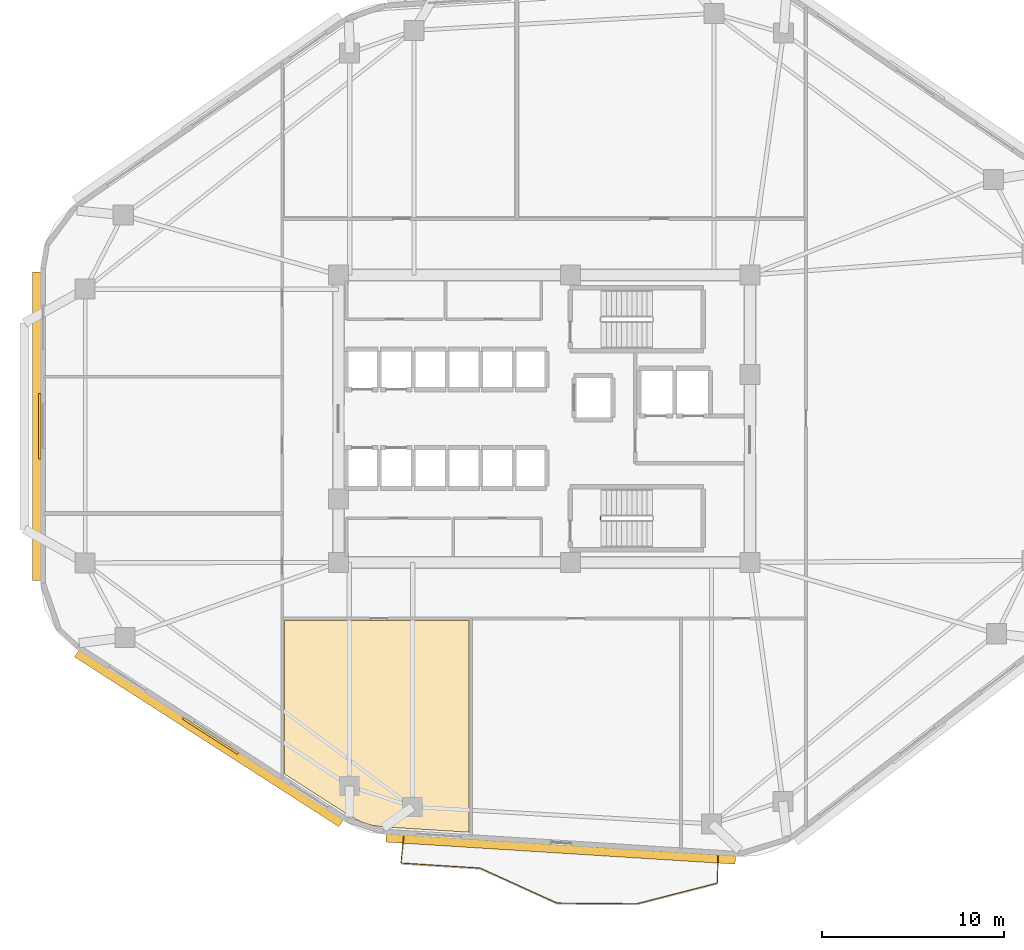
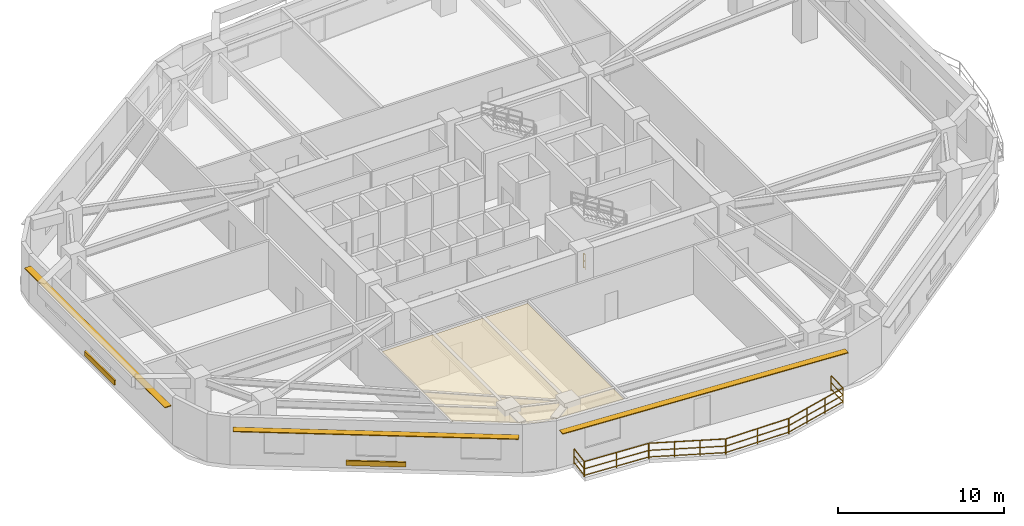
# One storey, part 6 of 8: 7 railings, 5 shading devices, 1 covering.
"""IFC4 building model written with IfcOpenShell, lengths in metres."""

from ifc_helpers import new_model, si_unit, direction, frame, origin, origin_2d, place, context, subcontext, project, spatial, polyline, rectangle, outline, extrude, material, layer, layer_set, type_object, element, save


model = new_model("IFC4")

# Units and contexts
model_context = context("Model", 3, precision=1e-05, world=origin(), true_north=direction((0.0, 1.0)))
body_context = subcontext(model_context, "Body", "Model", "MODEL_VIEW")
ifc_project = project(units=[si_unit("LENGTHUNIT", "METRE"), si_unit("AREAUNIT", "SQUARE_METRE"), si_unit("VOLUMEUNIT", "CUBIC_METRE"), si_unit("PLANEANGLEUNIT", "RADIAN"), si_unit("MASSUNIT", "GRAM", prefix="KILO")], contexts=[model_context])

# Site, building, storey
site_placement = place(None, origin())
site = spatial("IfcSite", under=ifc_project, at=site_placement, CompositionType="ELEMENT")
building_placement = place(site_placement, origin())
building = spatial("IfcBuilding", under=site, at=building_placement, Name="Zulverin Broadcast Headquarters", CompositionType="ELEMENT")
storey_placement = place(building_placement, frame((0.0, 0.0, 89.60009765625)))
storey = spatial("IfcBuildingStorey", under=building, at=storey_placement, Name="L22", CompositionType="ELEMENT", Elevation=89.60009765625)

# Covering
ifc_material_1 = material(Name="Perforated pale-metal acoustic baffle ceiling", Category="aluminium")
ifc_layer_1 = layer(ifc_material_1, 0.0400390625, Name="Perforated pale-metal acoustic baffle ceiling", Category="aluminium")
ifc_layer_set_1 = layer_set([ifc_layer_1], Name="Perforated pale-metal acoustic baffle ceiling")
covering_type = type_object("IfcCoveringType", Name="COV-CEIL-ACOU", PredefinedType="CEILING", material=ifc_layer_set_1)
covering_placement = place(storey_placement, frame((0.0, 0.0, 3.344970703125)))
element("IfcCovering", 1, at=covering_placement, inside=storey, type_object=covering_type, Name="L22 Acoustic Baffle Ceiling 03", PredefinedType="CEILING", context=body_context, shape_type="SweptSolid", body=[
    extrude(outline(polyline([(22.77197265625, 14.132080078125), (22.77197265625, 5.73193359375), (26.347900390625, 3.43603515625), (26.931884765625, 3.1279296875), (27.5439453125, 2.924072265625), (28.19189453125, 2.83203125), (32.8798828125, 2.535888671875), (32.8798828125, 14.132080078125), (22.77197265625, 14.132080078125)])), origin(), (0.0, 0.0, 1.0), 0.0400390625),
])

# Railings
ifc_material_2 = material(Name="Brushed stainless steel & laminated glass balustrade", Category="steel")
railing_type_1 = type_object("IfcRailingType", Name="RL-GUARD-1150", PredefinedType="GUARDRAIL", material=ifc_material_2)
railing_1_placement = place(storey_placement, frame((29.3076171875, 2.318603515625, 0.0)))
element("IfcRailing", 2, at=railing_1_placement, inside=storey, type_object=railing_type_1, Name="L22 Vertical-Forest Balcony Guardrail BAL_S Segment 01", PredefinedType="GUARDRAIL", context=body_context, shape_type="SweptSolid", body=[
    extrude(rectangle(XDim=0.048095703125, YDim=0.048095703125, at=origin_2d()), frame((0.0, 0.0, 1.1259765625), z_axis=(-0.103228615139, -0.99465765619, 0.0), x_axis=(0.99465765619, -0.103228615139, 0.0)), (0.0, 0.0, 1.0), 1.46630859375),
    extrude(rectangle(XDim=0.0419921875, YDim=0.0419921875, at=origin_2d()), frame((0.0, 0.0, 0.597900390625), z_axis=(-0.103228615139, -0.99465765619, 0.0), x_axis=(0.99465765619, -0.103228615139, 0.0)), (0.0, 0.0, 1.0), 1.46630859375),
    extrude(rectangle(XDim=0.0419921875, YDim=0.0419921875, at=origin_2d()), frame((0.0, 0.0, 0.1201171875), z_axis=(-0.103228615139, -0.99465765619, 0.0), x_axis=(0.99465765619, -0.103228615139, 0.0)), (0.0, 0.0, 1.0), 1.46630859375),
    extrude(rectangle(XDim=0.0419921875, YDim=0.0419921875, at=origin_2d()), origin(), (0.0, 0.0, 1.0), 1.101806640625),
    extrude(rectangle(XDim=0.0419921875, YDim=0.0419921875, at=origin_2d()), frame((-0.1513671875, -1.45849609375, 0.0)), (0.0, 0.0, 1.0), 1.101806640625),
])
railing_2_placement = place(storey_placement, frame((29.169677734375, 0.84423828125, 0.0)))
element("IfcRailing", 3, at=railing_2_placement, inside=storey, type_object=railing_type_1, Name="L22 Vertical-Forest Balcony Guardrail BAL_S Segment 02", PredefinedType="GUARDRAIL", context=body_context, shape_type="SweptSolid", body=[
    extrude(rectangle(XDim=0.048095703125, YDim=0.048095703125, at=origin_2d()), frame((0.0, 0.0, 1.1259765625), z_axis=(0.998014296805, -0.062987803365, 0.0), x_axis=(0.062987803365, 0.998014296805, 0.0)), (0.0, 0.0, 1.0), 4.31396484375),
    extrude(rectangle(XDim=0.0419921875, YDim=0.0419921875, at=origin_2d()), frame((0.0, 0.0, 0.597900390625), z_axis=(0.998014296805, -0.062987803365, 0.0), x_axis=(0.062987803365, 0.998014296805, 0.0)), (0.0, 0.0, 1.0), 4.31396484375),
    extrude(rectangle(XDim=0.0419921875, YDim=0.0419921875, at=origin_2d()), frame((0.0, 0.0, 0.1201171875), z_axis=(0.998014296805, -0.062987803365, 0.0), x_axis=(0.062987803365, 0.998014296805, 0.0)), (0.0, 0.0, 1.0), 4.31396484375),
    extrude(rectangle(XDim=0.0419921875, YDim=0.0419921875, at=origin_2d()), origin(), (0.0, 0.0, 1.0), 1.101806640625),
    extrude(rectangle(XDim=0.0419921875, YDim=0.0419921875, at=origin_2d()), frame((2.15283203125, -0.1357421875, 0.0)), (0.0, 0.0, 1.0), 1.101806640625),
    extrude(rectangle(XDim=0.0419921875, YDim=0.0419921875, at=origin_2d()), frame((4.305419921875, -0.271728515625, 0.0)), (0.0, 0.0, 1.0), 1.101806640625),
])
railing_3_placement = place(storey_placement, frame((33.50390625, 0.5654296875, 0.0)))
element("IfcRailing", 4, at=railing_3_placement, inside=storey, type_object=railing_type_1, Name="L22 Vertical-Forest Balcony Guardrail BAL_S Segment 03", PredefinedType="GUARDRAIL", context=body_context, shape_type="SweptSolid", body=[
    extrude(rectangle(XDim=0.048095703125, YDim=0.048095703125, at=origin_2d()), frame((0.0, 0.0, 1.1259765625), z_axis=(0.910639731455, -0.413201257859, 0.0), x_axis=(0.413201257859, 0.910639731455, 0.0)), (0.0, 0.0, 1.0), 4.616943359375),
    extrude(rectangle(XDim=0.0419921875, YDim=0.0419921875, at=origin_2d()), frame((0.0, 0.0, 0.597900390625), z_axis=(0.910639731455, -0.413201257859, 0.0), x_axis=(0.413201257859, 0.910639731455, 0.0)), (0.0, 0.0, 1.0), 4.616943359375),
    extrude(rectangle(XDim=0.0419921875, YDim=0.0419921875, at=origin_2d()), frame((0.0, 0.0, 0.1201171875), z_axis=(0.910639731455, -0.413201257859, 0.0), x_axis=(0.413201257859, 0.910639731455, 0.0)), (0.0, 0.0, 1.0), 4.616943359375),
    extrude(rectangle(XDim=0.0419921875, YDim=0.0419921875, at=origin_2d()), origin(), (0.0, 0.0, 1.0), 1.101806640625),
    extrude(rectangle(XDim=0.0419921875, YDim=0.0419921875, at=origin_2d()), frame((1.4013671875, -0.635986328125, 0.0)), (0.0, 0.0, 1.0), 1.101806640625),
    extrude(rectangle(XDim=0.0419921875, YDim=0.0419921875, at=origin_2d()), frame((2.802978515625, -1.271728515625, 0.0)), (0.0, 0.0, 1.0), 1.101806640625),
    extrude(rectangle(XDim=0.0419921875, YDim=0.0419921875, at=origin_2d()), frame((4.204345703125, -1.90771484375, 0.0)), (0.0, 0.0, 1.0), 1.101806640625),
])
railing_4_placement = place(storey_placement, frame((37.737060546875, -1.3486328125, 0.0)))
element("IfcRailing", 5, at=railing_4_placement, inside=storey, type_object=railing_type_1, Name="L22 Vertical-Forest Balcony Guardrail BAL_S Segment 04", PredefinedType="GUARDRAIL", context=body_context, shape_type="SweptSolid", body=[
    extrude(rectangle(XDim=0.048095703125, YDim=0.048095703125, at=origin_2d()), frame((0.0, 0.0, 1.1259765625), z_axis=(0.99996643514, -0.008193204108, 0.0), x_axis=(0.008193204108, 0.99996643514, 0.0)), (0.0, 0.0, 1.0), 4.32080078125),
    extrude(rectangle(XDim=0.0419921875, YDim=0.0419921875, at=origin_2d()), frame((0.0, 0.0, 0.597900390625), z_axis=(0.99996643514, -0.008193204108, 0.0), x_axis=(0.008193204108, 0.99996643514, 0.0)), (0.0, 0.0, 1.0), 4.32080078125),
    extrude(rectangle(XDim=0.0419921875, YDim=0.0419921875, at=origin_2d()), frame((0.0, 0.0, 0.1201171875), z_axis=(0.99996643514, -0.008193204108, 0.0), x_axis=(0.008193204108, 0.99996643514, 0.0)), (0.0, 0.0, 1.0), 4.32080078125),
    extrude(rectangle(XDim=0.0419921875, YDim=0.0419921875, at=origin_2d()), origin(), (0.0, 0.0, 1.0), 1.101806640625),
    extrude(rectangle(XDim=0.0419921875, YDim=0.0419921875, at=origin_2d()), frame((2.16015625, -0.017578125, 0.0)), (0.0, 0.0, 1.0), 1.101806640625),
    extrude(rectangle(XDim=0.0419921875, YDim=0.0419921875, at=origin_2d()), frame((4.320556640625, -0.035400390625, 0.0)), (0.0, 0.0, 1.0), 1.101806640625),
])
railing_5_placement = place(storey_placement, frame((42.087158203125, -1.38037109375, 0.0)))
element("IfcRailing", 6, at=railing_5_placement, inside=storey, type_object=railing_type_1, Name="L22 Vertical-Forest Balcony Guardrail BAL_S Segment 05", PredefinedType="GUARDRAIL", context=body_context, shape_type="SweptSolid", body=[
    extrude(rectangle(XDim=0.048095703125, YDim=0.048095703125, at=origin_2d()), frame((0.0, 0.0, 1.1259765625), z_axis=(0.968604429989, 0.248607035713, 0.0), x_axis=(-0.248607035713, 0.968604429989, 0.0)), (0.0, 0.0, 1.0), 4.5380859375),
    extrude(rectangle(XDim=0.0419921875, YDim=0.0419921875, at=origin_2d()), frame((0.0, 0.0, 0.597900390625), z_axis=(0.968604429989, 0.248607035713, 0.0), x_axis=(-0.248607035713, 0.968604429989, 0.0)), (0.0, 0.0, 1.0), 4.5380859375),
    extrude(rectangle(XDim=0.0419921875, YDim=0.0419921875, at=origin_2d()), frame((0.0, 0.0, 0.1201171875), z_axis=(0.968604429989, 0.248607035713, 0.0), x_axis=(-0.248607035713, 0.968604429989, 0.0)), (0.0, 0.0, 1.0), 4.5380859375),
    extrude(rectangle(XDim=0.0419921875, YDim=0.0419921875, at=origin_2d()), origin(), (0.0, 0.0, 1.0), 1.101806640625),
    extrude(rectangle(XDim=0.0419921875, YDim=0.0419921875, at=origin_2d()), frame((1.465087890625, 0.3759765625, 0.0)), (0.0, 0.0, 1.0), 1.101806640625),
    extrude(rectangle(XDim=0.0419921875, YDim=0.0419921875, at=origin_2d()), frame((2.930419921875, 0.752197265625, 0.0)), (0.0, 0.0, 1.0), 1.101806640625),
    extrude(rectangle(XDim=0.0419921875, YDim=0.0419921875, at=origin_2d()), frame((4.3955078125, 1.128173828125, 0.0)), (0.0, 0.0, 1.0), 1.101806640625),
])
railing_6_placement = place(storey_placement, frame((46.497314453125, -0.233642578125, 0.0)))
element("IfcRailing", 7, at=railing_6_placement, inside=storey, type_object=railing_type_1, Name="L22 Vertical-Forest Balcony Guardrail BAL_S Segment 06", PredefinedType="GUARDRAIL", context=body_context, shape_type="SweptSolid", body=[
    extrude(rectangle(XDim=0.048095703125, YDim=0.048095703125, at=origin_2d()), frame((0.0, 0.0, 1.1259765625), z_axis=(0.022641987457, 0.999743637341, 0.0), x_axis=(-0.999743637341, 0.022641987457, 0.0)), (0.0, 0.0, 1.0), 1.466552734375),
    extrude(rectangle(XDim=0.0419921875, YDim=0.0419921875, at=origin_2d()), frame((0.0, 0.0, 0.597900390625), z_axis=(0.022641987457, 0.999743637341, 0.0), x_axis=(-0.999743637341, 0.022641987457, 0.0)), (0.0, 0.0, 1.0), 1.466552734375),
    extrude(rectangle(XDim=0.0419921875, YDim=0.0419921875, at=origin_2d()), frame((0.0, 0.0, 0.1201171875), z_axis=(0.022641987457, 0.999743637341, 0.0), x_axis=(-0.999743637341, 0.022641987457, 0.0)), (0.0, 0.0, 1.0), 1.466552734375),
    extrude(rectangle(XDim=0.0419921875, YDim=0.0419921875, at=origin_2d()), origin(), (0.0, 0.0, 1.0), 1.101806640625),
    extrude(rectangle(XDim=0.0419921875, YDim=0.0419921875, at=origin_2d()), frame((0.033203125, 1.466064453125, 0.0)), (0.0, 0.0, 1.0), 1.101806640625),
])
ifc_material_3 = material(Name="Painted galvanized steel tubular guardrail S355JR", Category="steel")
railing_type_2 = type_object("IfcRailingType", Name="RL-ST-GUARD", PredefinedType="GUARDRAIL", material=ifc_material_3)
railing_7_placement = place(storey_placement, frame((40.080078125, 19.64990234375, 0.0)))
element("IfcRailing", 8, at=railing_7_placement, inside=storey, type_object=railing_type_2, Name="L22 ST-2 stair guard 4", PredefinedType="GUARDRAIL", context=body_context, shape_type="SweptSolid", body=[
    extrude(rectangle(XDim=0.048095703125, YDim=0.048095703125, at=origin_2d()), frame((0.0, 0.0, 1.076171875), z_axis=(0.0, 1.0, 0.0), x_axis=(-1.0, 0.0, 0.0)), (0.0, 0.0, 1.0), 0.2001953125),
    extrude(rectangle(XDim=0.0419921875, YDim=0.0419921875, at=origin_2d()), frame((0.0, 0.0, 0.572021484375), z_axis=(0.0, 1.0, 0.0), x_axis=(-1.0, 0.0, 0.0)), (0.0, 0.0, 1.0), 0.2001953125),
    extrude(rectangle(XDim=0.0419921875, YDim=0.0419921875, at=origin_2d()), frame((0.0, 0.0, 0.1201171875), z_axis=(0.0, 1.0, 0.0), x_axis=(-1.0, 0.0, 0.0)), (0.0, 0.0, 1.0), 0.2001953125),
    extrude(rectangle(XDim=0.0419921875, YDim=0.0419921875, at=origin_2d()), origin(), (0.0, 0.0, 1.0), 1.052001953125),
    extrude(rectangle(XDim=0.0419921875, YDim=0.0419921875, at=origin_2d()), frame((0.0, 0.2001953125, 0.0)), (0.0, 0.0, 1.0), 1.052001953125),
])

# Shading devices
ifc_material_4 = material(Name="Anodized pale-metal aluminium acoustic louvre", Category="aluminium")
shading_device_type_1 = type_object("IfcShadingDeviceType", Name="SHD-LOUVRE-350", PredefinedType="USERDEFINED", material=ifc_material_4)
for number, where, z_axis, x_axis, name in (
    (9, (9.360107421875, 24.7939453125, 0.244873046875), (0.0, 0.0, 1.0), (0.0, -1.0, 0.0), "L22 Spandrel Intake Louvre 7"),
    (10, (18.71630859375, 7.816162109375, 0.244873046875), (0.0, 0.0, 1.0), (0.841296678234, -0.540573676007, 0.0), "L22 Spandrel Intake Louvre 8"),
):
    element("IfcShadingDevice", number, at=place(storey_placement, frame(where, z_axis=z_axis, x_axis=x_axis)), inside=storey, type_object=shading_device_type_1, Name=name, ObjectType="LOUVRE", PredefinedType="USERDEFINED", context=body_context, shape_type="SweptSolid", body=[
        extrude(rectangle(XDim=3.60009765625, YDim=0.1201171875, at=origin_2d()), origin(), (0.0, 0.0, 1.0), 0.35009765625),
    ])
ifc_material_5 = material(Name="Anodized pale-metal aluminium sunshade", Category="aluminium")
ifc_layer_2 = layer(ifc_material_5, 0.06005859375, Name="Anodized pale-metal aluminium sunshade", Category="aluminium")
ifc_layer_set_2 = layer_set([ifc_layer_2], Name="Anodized pale-metal aluminium sunshade")
shading_device_type_2 = type_object("IfcShadingDeviceType", Name="SS-01_PALE_METAL_ALUMINIUM_SUNSHADE", PredefinedType="USERDEFINED", material=ifc_layer_set_2)
shading_device_1_placement = place(storey_placement, frame((37.908935546875, 1.61572265625, 2.7099609375), z_axis=(0.0, 0.0, 1.0), x_axis=(0.998017182581, -0.062942062821, 0.0)))
element("IfcShadingDevice", 11, at=shading_device_1_placement, inside=storey, type_object=shading_device_type_2, Name="L22 Horizontal Pale-Metal Sunshade Band 1", ObjectType="SUNSHADE", PredefinedType="USERDEFINED", context=body_context, shape_type="SweptSolid", body=[
    extrude(rectangle(XDim=19.177001953125, YDim=0.449951171875, at=origin_2d()), origin(), (0.0, 0.0, 1.0), 0.06005859375),
])
shading_device_2_placement = place(storey_placement, frame((9.199951171875, 24.7939453125, 2.7099609375), z_axis=(0.0, 0.0, 1.0), x_axis=(0.0, -1.0, 0.0)))
element("IfcShadingDevice", 12, at=shading_device_2_placement, inside=storey, type_object=shading_device_type_2, Name="L22 Horizontal Pale-Metal Sunshade Band 7", ObjectType="SUNSHADE", PredefinedType="USERDEFINED", context=body_context, shape_type="SweptSolid", body=[
    extrude(rectangle(XDim=16.90087890625, YDim=0.449951171875, at=origin_2d()), origin(), (0.0, 0.0, 1.0), 0.06005859375),
])
shading_device_3_placement = place(storey_placement, frame((18.6298828125, 7.681640625, 2.7099609375), z_axis=(0.0, 0.0, 1.0), x_axis=(0.841296678234, -0.540573676007, 0.0)))
element("IfcShadingDevice", 13, at=shading_device_3_placement, inside=storey, type_object=shading_device_type_2, Name="L22 Horizontal Pale-Metal Sunshade Band 8", ObjectType="SUNSHADE", PredefinedType="USERDEFINED", context=body_context, shape_type="SweptSolid", body=[
    extrude(rectangle(XDim=17.2119140625, YDim=0.449951171875, at=origin_2d()), origin(), (0.0, 0.0, 1.0), 0.06005859375),
])

save(model, "model.ifc")
